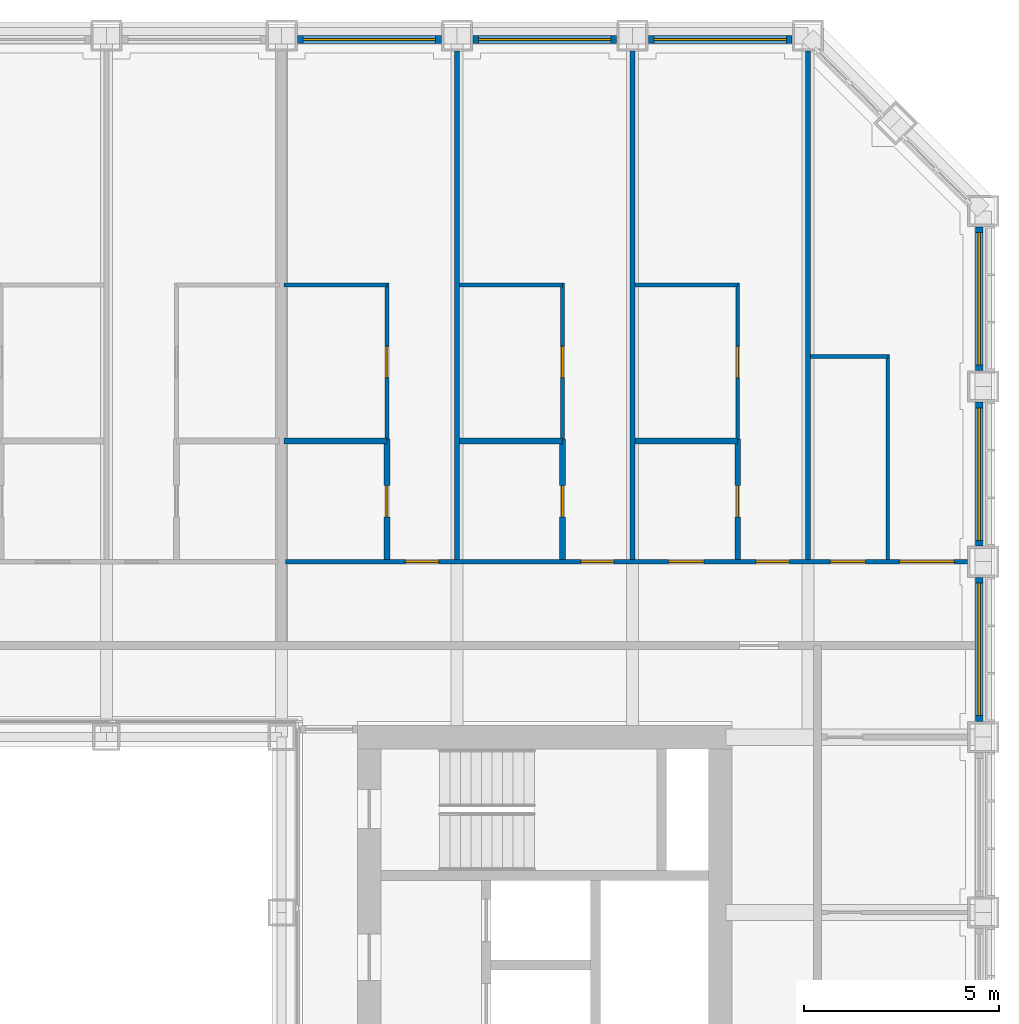
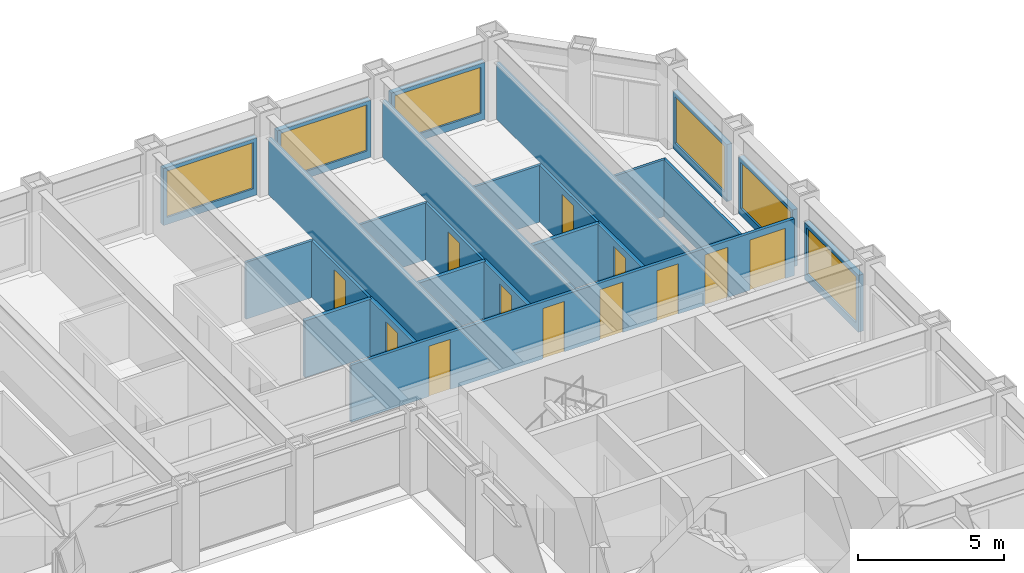
# One storey, part 15 of 21: 24 walls, 12 doors, 6 windows, 18 openings.
"""IFC4 building model written with IfcOpenShell, lengths in metres."""

from ifc_helpers import new_model, si_unit, direction, frame, frame_2d, origin, place, context, subcontext, project, spatial, rectangle, extrude, material, layer, layer_set, type_object, element, fill, save


model = new_model("IFC4")

# Units and contexts
model_context = context("Model", 3, precision=1e-05, world=origin(), true_north=direction((0.0, 1.0)))
body_context = subcontext(model_context, "Body", "Model", "MODEL_VIEW")
ifc_project = project(units=[si_unit("LENGTHUNIT", "METRE"), si_unit("AREAUNIT", "SQUARE_METRE"), si_unit("VOLUMEUNIT", "CUBIC_METRE"), si_unit("PLANEANGLEUNIT", "RADIAN"), si_unit("MASSUNIT", "GRAM", prefix="KILO")], contexts=[model_context])

# Site, building, storey
site_placement = place(None, origin())
site = spatial("IfcSite", under=ifc_project, at=site_placement, CompositionType="ELEMENT")
building_placement = place(site_placement, origin())
building = spatial("IfcBuilding", under=site, at=building_placement, Name="Msasa Ring Tower", CompositionType="ELEMENT")
storey_placement = place(building_placement, frame((0.0, 0.0, 68.5)))
storey = spatial("IfcBuildingStorey", under=building, at=storey_placement, Name="L17", CompositionType="ELEMENT", Elevation=68.5)

# Wall, opening, window
ifc_material_1 = material(Name="Terracotta rainscreen on blockwork", Category="masonry")
ifc_layer_1 = layer(ifc_material_1, 0.199951171875)
ifc_layer_set_1 = layer_set([ifc_layer_1], Name="FW1 TERRACOTTA-LINED INFILL BAY WALL 200")
wall_type_1 = type_object("IfcWallType", Name="FW1 TERRACOTTA-LINED INFILL BAY WALL 200", PredefinedType="SOLIDWALL", material=ifc_layer_set_1)
wall_1_placement = place(storey_placement, frame((24.64990234375, 7.155029296875, 0.0), z_axis=(0.0, 0.0, 1.0), x_axis=(0.0, 1.0, 0.0)))
wall_1 = element("IfcWall", 1, at=wall_1_placement, inside=storey, type_object=wall_type_1, Name="Infill bay wall E L17 17", PredefinedType="SOLIDWALL", context=body_context, shape_type="SweptSolid", body=[
    extrude(rectangle(XDim=3.68994140625, YDim=0.199951171875, at=frame_2d((1.844970703125, 0.0))), origin(), (0.0, 0.0, 1.0), 2.37890625),
])
opening_1_placement = place(wall_1_placement, frame((0.14501953125, 0.0, 0.300048828125)))
opening_1 = element("IfcOpeningElement", 2, at=opening_1_placement, cuts=wall_1, Name="Opening WN1", PredefinedType="OPENING", context=body_context, shape_type="SweptSolid", body=[
    extrude(rectangle(XDim=3.39990234375, YDim=1.928955078125, at=frame_2d((1.699951171875, 0.96435546875))), frame((0.0, 0.10986328125, 0.0), z_axis=(0.0, -1.0, 0.0), x_axis=(1.0, 0.0, 0.0)), (0.0, 0.0, 1.0), 0.219970703125),
])
ifc_material_2 = material(Name="Aluminium frame with clear glass", Category="aluminium")
window_type = type_object("IfcWindowType", Name="WN1 RESIDENCE WINDOW 3400x1929", PartitioningType="SINGLE_PANEL", PredefinedType="WINDOW", material=ifc_material_2)
window_1_placement = place(opening_1_placement, origin())
window_1 = element("IfcWindow", 3, at=window_1_placement, inside=storey, type_object=window_type, Name="Window E L17 17", OverallHeight=1.928955078125, OverallWidth=3.39990234375, PartitioningType="SINGLE_PANEL", PredefinedType="WINDOW", context=body_context, shape_type="SweptSolid", body=[
    extrude(rectangle(XDim=3.39990234375, YDim=1.928955078125, at=frame_2d((1.699951171875, 0.96435546875))), frame((0.0, 0.030029296875, 0.0), z_axis=(0.0, -1.0, 0.0), x_axis=(1.0, 0.0, 0.0)), (0.0, 0.0, 1.0), 0.06005859375),
])
fill(opening_1, window_1)

wall_2_placement = place(storey_placement, frame((24.64990234375, 11.655029296875, 0.0), z_axis=(0.0, 0.0, 1.0), x_axis=(0.0, 1.0, 0.0)))
wall_2 = element("IfcWall", 4, at=wall_2_placement, inside=storey, type_object=wall_type_1, Name="Infill bay wall E L17 18", PredefinedType="SOLIDWALL", context=body_context, shape_type="SweptSolid", body=[
    extrude(rectangle(XDim=3.68994140625, YDim=0.199951171875, at=frame_2d((1.844970703125, 0.0))), origin(), (0.0, 0.0, 1.0), 2.37890625),
])
opening_2_placement = place(wall_2_placement, frame((0.14501953125, 0.0, 0.300048828125)))
opening_2 = element("IfcOpeningElement", 5, at=opening_2_placement, cuts=wall_2, Name="Opening WN1", PredefinedType="OPENING", context=body_context, shape_type="SweptSolid", body=[
    extrude(rectangle(XDim=3.39990234375, YDim=1.928955078125, at=frame_2d((1.699951171875, 0.96435546875))), frame((0.0, 0.10986328125, 0.0), z_axis=(0.0, -1.0, 0.0), x_axis=(1.0, 0.0, 0.0)), (0.0, 0.0, 1.0), 0.219970703125),
])
window_2_placement = place(opening_2_placement, origin())
window_2 = element("IfcWindow", 6, at=window_2_placement, inside=storey, type_object=window_type, Name="Window E L17 18", OverallHeight=1.928955078125, OverallWidth=3.39990234375, PartitioningType="SINGLE_PANEL", PredefinedType="WINDOW", context=body_context, shape_type="SweptSolid", body=[
    extrude(rectangle(XDim=3.39990234375, YDim=1.928955078125, at=frame_2d((1.699951171875, 0.96435546875))), frame((0.0, 0.030029296875, 0.0), z_axis=(0.0, -1.0, 0.0), x_axis=(1.0, 0.0, 0.0)), (0.0, 0.0, 1.0), 0.06005859375),
])
fill(opening_2, window_2)

wall_3_placement = place(storey_placement, frame((24.64990234375, 16.155029296875, 0.0), z_axis=(0.0, 0.0, 1.0), x_axis=(0.0, 1.0, 0.0)))
wall_3 = element("IfcWall", 7, at=wall_3_placement, inside=storey, type_object=wall_type_1, Name="Infill bay wall E L17 19", PredefinedType="SOLIDWALL", context=body_context, shape_type="SweptSolid", body=[
    extrude(rectangle(XDim=3.68994140625, YDim=0.199951171875, at=frame_2d((1.844970703125, 0.0))), origin(), (0.0, 0.0, 1.0), 2.37890625),
])
opening_3_placement = place(wall_3_placement, frame((0.14501953125, 0.0, 0.300048828125)))
opening_3 = element("IfcOpeningElement", 8, at=opening_3_placement, cuts=wall_3, Name="Opening WN1", PredefinedType="OPENING", context=body_context, shape_type="SweptSolid", body=[
    extrude(rectangle(XDim=3.39990234375, YDim=1.928955078125, at=frame_2d((1.699951171875, 0.96435546875))), frame((0.0, 0.10986328125, 0.0), z_axis=(0.0, -1.0, 0.0), x_axis=(1.0, 0.0, 0.0)), (0.0, 0.0, 1.0), 0.219970703125),
])
window_3_placement = place(opening_3_placement, origin())
window_3 = element("IfcWindow", 9, at=window_3_placement, inside=storey, type_object=window_type, Name="Window E L17 19", OverallHeight=1.928955078125, OverallWidth=3.39990234375, PartitioningType="SINGLE_PANEL", PredefinedType="WINDOW", context=body_context, shape_type="SweptSolid", body=[
    extrude(rectangle(XDim=3.39990234375, YDim=1.928955078125, at=frame_2d((1.699951171875, 0.96435546875))), frame((0.0, 0.030029296875, 0.0), z_axis=(0.0, -1.0, 0.0), x_axis=(1.0, 0.0, 0.0)), (0.0, 0.0, 1.0), 0.06005859375),
])
fill(opening_3, window_3)

wall_4_placement = place(storey_placement, frame((7.155029296875, 24.64990234375, 0.0), z_axis=(0.0, 0.0, 1.0), x_axis=(1.0, 0.0, 0.0)))
wall_4 = element("IfcWall", 10, at=wall_4_placement, inside=storey, type_object=wall_type_1, Name="Infill bay wall N L17 28", PredefinedType="SOLIDWALL", context=body_context, shape_type="SweptSolid", body=[
    extrude(rectangle(XDim=3.68994140625, YDim=0.199951171875, at=frame_2d((1.844970703125, 0.0))), origin(), (0.0, 0.0, 1.0), 2.37890625),
])
opening_4_placement = place(wall_4_placement, frame((0.14501953125, 0.0, 0.300048828125)))
opening_4 = element("IfcOpeningElement", 11, at=opening_4_placement, cuts=wall_4, Name="Opening WN1", PredefinedType="OPENING", context=body_context, shape_type="SweptSolid", body=[
    extrude(rectangle(XDim=3.39990234375, YDim=1.928955078125, at=frame_2d((1.699951171875, 0.96435546875))), frame((0.0, 0.10986328125, 0.0), z_axis=(0.0, -1.0, 0.0), x_axis=(1.0, 0.0, 0.0)), (0.0, 0.0, 1.0), 0.219970703125),
])
window_4_placement = place(opening_4_placement, origin())
window_4 = element("IfcWindow", 12, at=window_4_placement, inside=storey, type_object=window_type, Name="Window N L17 28", OverallHeight=1.928955078125, OverallWidth=3.39990234375, PartitioningType="SINGLE_PANEL", PredefinedType="WINDOW", context=body_context, shape_type="SweptSolid", body=[
    extrude(rectangle(XDim=3.39990234375, YDim=1.928955078125, at=frame_2d((1.699951171875, 0.96435546875))), frame((0.0, 0.030029296875, 0.0), z_axis=(0.0, -1.0, 0.0), x_axis=(1.0, 0.0, 0.0)), (0.0, 0.0, 1.0), 0.06005859375),
])
fill(opening_4, window_4)

wall_5_placement = place(storey_placement, frame((11.655029296875, 24.64990234375, 0.0), z_axis=(0.0, 0.0, 1.0), x_axis=(1.0, 0.0, 0.0)))
wall_5 = element("IfcWall", 13, at=wall_5_placement, inside=storey, type_object=wall_type_1, Name="Infill bay wall N L17 29", PredefinedType="SOLIDWALL", context=body_context, shape_type="SweptSolid", body=[
    extrude(rectangle(XDim=3.68994140625, YDim=0.199951171875, at=frame_2d((1.844970703125, 0.0))), origin(), (0.0, 0.0, 1.0), 2.37890625),
])
opening_5_placement = place(wall_5_placement, frame((0.14501953125, 0.0, 0.300048828125)))
opening_5 = element("IfcOpeningElement", 14, at=opening_5_placement, cuts=wall_5, Name="Opening WN1", PredefinedType="OPENING", context=body_context, shape_type="SweptSolid", body=[
    extrude(rectangle(XDim=3.39990234375, YDim=1.928955078125, at=frame_2d((1.699951171875, 0.96435546875))), frame((0.0, 0.10986328125, 0.0), z_axis=(0.0, -1.0, 0.0), x_axis=(1.0, 0.0, 0.0)), (0.0, 0.0, 1.0), 0.219970703125),
])
window_5_placement = place(opening_5_placement, origin())
window_5 = element("IfcWindow", 15, at=window_5_placement, inside=storey, type_object=window_type, Name="Window N L17 29", OverallHeight=1.928955078125, OverallWidth=3.39990234375, PartitioningType="SINGLE_PANEL", PredefinedType="WINDOW", context=body_context, shape_type="SweptSolid", body=[
    extrude(rectangle(XDim=3.39990234375, YDim=1.928955078125, at=frame_2d((1.699951171875, 0.96435546875))), frame((0.0, 0.030029296875, 0.0), z_axis=(0.0, -1.0, 0.0), x_axis=(1.0, 0.0, 0.0)), (0.0, 0.0, 1.0), 0.06005859375),
])
fill(opening_5, window_5)

wall_6_placement = place(storey_placement, frame((16.155029296875, 24.64990234375, 0.0), z_axis=(0.0, 0.0, 1.0), x_axis=(1.0, 0.0, 0.0)))
wall_6 = element("IfcWall", 16, at=wall_6_placement, inside=storey, type_object=wall_type_1, Name="Infill bay wall N L17 30", PredefinedType="SOLIDWALL", context=body_context, shape_type="SweptSolid", body=[
    extrude(rectangle(XDim=3.68994140625, YDim=0.199951171875, at=frame_2d((1.844970703125, 0.0))), origin(), (0.0, 0.0, 1.0), 2.37890625),
])
opening_6_placement = place(wall_6_placement, frame((0.14501953125, 0.0, 0.300048828125)))
opening_6 = element("IfcOpeningElement", 17, at=opening_6_placement, cuts=wall_6, Name="Opening WN1", PredefinedType="OPENING", context=body_context, shape_type="SweptSolid", body=[
    extrude(rectangle(XDim=3.39990234375, YDim=1.928955078125, at=frame_2d((1.699951171875, 0.96435546875))), frame((0.0, 0.10986328125, 0.0), z_axis=(0.0, -1.0, 0.0), x_axis=(1.0, 0.0, 0.0)), (0.0, 0.0, 1.0), 0.219970703125),
])
window_6_placement = place(opening_6_placement, origin())
window_6 = element("IfcWindow", 18, at=window_6_placement, inside=storey, type_object=window_type, Name="Window N L17 30", OverallHeight=1.928955078125, OverallWidth=3.39990234375, PartitioningType="SINGLE_PANEL", PredefinedType="WINDOW", context=body_context, shape_type="SweptSolid", body=[
    extrude(rectangle(XDim=3.39990234375, YDim=1.928955078125, at=frame_2d((1.699951171875, 0.96435546875))), frame((0.0, 0.030029296875, 0.0), z_axis=(0.0, -1.0, 0.0), x_axis=(1.0, 0.0, 0.0)), (0.0, 0.0, 1.0), 0.06005859375),
])
fill(opening_6, window_6)

# Walls
ifc_material_3 = material(Name="Gypsum board on steel studs", Category="steel")
ifc_layer_2 = layer(ifc_material_3, 0.10009765625)
ifc_layer_set_2 = layer_set([ifc_layer_2], Name="PT2 STUD PARTITION 100")
wall_type_2 = type_object("IfcWallType", Name="PT2 STUD PARTITION 100", PredefinedType="PARTITIONING", material=ifc_layer_set_2)
wall_7_placement = place(storey_placement, frame((22.300048828125, 11.3125, 0.0), z_axis=(0.0, 0.0, 1.0), x_axis=(0.0, 1.0, 0.0)))
element("IfcWall", 19, at=wall_7_placement, inside=storey, type_object=wall_type_2, Name="Partition L17-UN02KX", PredefinedType="PARTITIONING", context=body_context, shape_type="SweptSolid", body=[
    extrude(rectangle(XDim=5.25, YDim=0.10009765625, at=frame_2d((2.625, 0.0))), origin(), (0.0, 0.0, 1.0), 2.373291015625),
])
wall_8_placement = place(storey_placement, frame((20.3125, 16.512451171875, 0.0), z_axis=(0.0, 0.0, 1.0), x_axis=(1.0, 0.0, 0.0)))
element("IfcWall", 20, at=wall_8_placement, inside=storey, type_object=wall_type_2, Name="Partition L17-UN02KY", PredefinedType="PARTITIONING", context=body_context, shape_type="SweptSolid", body=[
    extrude(rectangle(XDim=1.987548828125, YDim=0.10009765625, at=frame_2d((0.99365234375, 0.0))), origin(), (0.0, 0.0, 1.0), 2.373291015625),
])

# Wall, opening, door
wall_9_placement = place(storey_placement, frame((18.449951171875, 14.39990234375, 0.0), z_axis=(0.0, 0.0, 1.0), x_axis=(0.0, 1.0, 0.0)))
wall_9 = element("IfcWall", 21, at=wall_9_placement, inside=storey, type_object=wall_type_2, Name="Partition L17-UN02WX1", PredefinedType="PARTITIONING", context=body_context, shape_type="SweptSolid", body=[
    extrude(rectangle(XDim=4.00048828125, YDim=0.10009765625, at=frame_2d((2.000244140625, 0.0))), origin(), (0.0, 0.0, 1.0), 2.373291015625),
])
opening_7_placement = place(wall_9_placement, frame((1.5751953125, 0.0, 0.0)))
opening_7 = element("IfcOpeningElement", 22, at=opening_7_placement, cuts=wall_9, Name="Opening RE-008", PredefinedType="OPENING", context=body_context, shape_type="SweptSolid", body=[
    extrude(rectangle(XDim=0.800048828125, YDim=2.10009765625, at=frame_2d((0.39990234375, 1.050048828125))), frame((0.0, 0.06005859375, 0.0), z_axis=(0.0, -1.0, 0.0), x_axis=(1.0, 0.0, 0.0)), (0.0, 0.0, 1.0), 0.1201171875),
])
ifc_material_4 = material(Name="Timber door leaf in a steel frame", Category="steel")
door_type_1 = type_object("IfcDoorType", Name="D60 DRESSING ROOM DOOR 800x2100", OperationType="SINGLE_SWING_LEFT", PredefinedType="DOOR", material=ifc_material_4)
door_1_placement = place(opening_7_placement, origin())
door_1 = element("IfcDoor", 23, at=door_1_placement, inside=storey, type_object=door_type_1, Name="Door L17-UN02W1", OperationType="SINGLE_SWING_LEFT", OverallHeight=2.10009765625, OverallWidth=0.800048828125, PredefinedType="DOOR", context=body_context, shape_type="SweptSolid", body=[
    extrude(rectangle(XDim=0.800048828125, YDim=2.10009765625, at=frame_2d((0.39990234375, 1.050048828125))), frame((0.0, 0.02490234375, 0.0), z_axis=(0.0, -1.0, 0.0), x_axis=(1.0, 0.0, 0.0)), (0.0, 0.0, 1.0), 0.050048828125),
])
fill(opening_7, door_1)

# Wall
wall_10_placement = place(storey_placement, frame((15.81005859375, 18.350341796875, 0.0), z_axis=(0.0, 0.0, 1.0), x_axis=(1.0, 0.0, 0.0)))
element("IfcWall", 24, at=wall_10_placement, inside=storey, type_object=wall_type_2, Name="Partition L17-UN02WY1", PredefinedType="PARTITIONING", context=body_context, shape_type="SweptSolid", body=[
    extrude(rectangle(XDim=2.639892578125, YDim=0.10009765625, at=frame_2d((1.31982421875, 0.0))), origin(), (0.0, 0.0, 1.0), 2.373291015625),
])

# Wall, opening, door
wall_11_placement = place(storey_placement, frame((13.949951171875, 14.39990234375, 0.0), z_axis=(0.0, 0.0, 1.0), x_axis=(0.0, 1.0, 0.0)))
wall_11 = element("IfcWall", 25, at=wall_11_placement, inside=storey, type_object=wall_type_2, Name="Partition L17-UN02WX2", PredefinedType="PARTITIONING", context=body_context, shape_type="SweptSolid", body=[
    extrude(rectangle(XDim=4.003173828125, YDim=0.10009765625, at=frame_2d((2.00146484375, 0.0))), origin(), (0.0, 0.0, 1.0), 2.373291015625),
])
opening_8_placement = place(wall_11_placement, frame((1.576416015625, 0.0, 0.0)))
opening_8 = element("IfcOpeningElement", 26, at=opening_8_placement, cuts=wall_11, Name="Opening RE-007", PredefinedType="OPENING", context=body_context, shape_type="SweptSolid", body=[
    extrude(rectangle(XDim=0.800048828125, YDim=2.10009765625, at=frame_2d((0.39990234375, 1.050048828125))), frame((0.0, 0.06005859375, 0.0), z_axis=(0.0, -1.0, 0.0), x_axis=(1.0, 0.0, 0.0)), (0.0, 0.0, 1.0), 0.1201171875),
])
door_2_placement = place(opening_8_placement, origin())
door_2 = element("IfcDoor", 27, at=door_2_placement, inside=storey, type_object=door_type_1, Name="Door L17-UN02W2", OperationType="SINGLE_SWING_LEFT", OverallHeight=2.10009765625, OverallWidth=0.800048828125, PredefinedType="DOOR", context=body_context, shape_type="SweptSolid", body=[
    extrude(rectangle(XDim=0.800048828125, YDim=2.10009765625, at=frame_2d((0.39990234375, 1.050048828125))), frame((0.0, 0.02490234375, 0.0), z_axis=(0.0, -1.0, 0.0), x_axis=(1.0, 0.0, 0.0)), (0.0, 0.0, 1.0), 0.050048828125),
])
fill(opening_8, door_2)

# Wall
wall_12_placement = place(storey_placement, frame((11.31005859375, 18.35302734375, 0.0), z_axis=(0.0, 0.0, 1.0), x_axis=(1.0, 0.0, 0.0)))
element("IfcWall", 28, at=wall_12_placement, inside=storey, type_object=wall_type_2, Name="Partition L17-UN02WY2", PredefinedType="PARTITIONING", context=body_context, shape_type="SweptSolid", body=[
    extrude(rectangle(XDim=2.639892578125, YDim=0.10009765625, at=frame_2d((1.31982421875, 0.0))), origin(), (0.0, 0.0, 1.0), 2.373291015625),
])

# Wall, opening, door
wall_13_placement = place(storey_placement, frame((9.449951171875, 14.39990234375, 0.0), z_axis=(0.0, 0.0, 1.0), x_axis=(0.0, 1.0, 0.0)))
wall_13 = element("IfcWall", 29, at=wall_13_placement, inside=storey, type_object=wall_type_2, Name="Partition L17-UN02WX3", PredefinedType="PARTITIONING", context=body_context, shape_type="SweptSolid", body=[
    extrude(rectangle(XDim=4.003173828125, YDim=0.10009765625, at=frame_2d((2.00146484375, 0.0))), origin(), (0.0, 0.0, 1.0), 2.373291015625),
])
opening_9_placement = place(wall_13_placement, frame((1.576416015625, 0.0, 0.0)))
opening_9 = element("IfcOpeningElement", 30, at=opening_9_placement, cuts=wall_13, Name="Opening RE-006", PredefinedType="OPENING", context=body_context, shape_type="SweptSolid", body=[
    extrude(rectangle(XDim=0.800048828125, YDim=2.10009765625, at=frame_2d((0.39990234375, 1.050048828125))), frame((0.0, 0.06005859375, 0.0), z_axis=(0.0, -1.0, 0.0), x_axis=(1.0, 0.0, 0.0)), (0.0, 0.0, 1.0), 0.1201171875),
])
door_3_placement = place(opening_9_placement, origin())
door_3 = element("IfcDoor", 31, at=door_3_placement, inside=storey, type_object=door_type_1, Name="Door L17-UN02W3", OperationType="SINGLE_SWING_LEFT", OverallHeight=2.10009765625, OverallWidth=0.800048828125, PredefinedType="DOOR", context=body_context, shape_type="SweptSolid", body=[
    extrude(rectangle(XDim=0.800048828125, YDim=2.10009765625, at=frame_2d((0.39990234375, 1.050048828125))), frame((0.0, 0.02490234375, 0.0), z_axis=(0.0, -1.0, 0.0), x_axis=(1.0, 0.0, 0.0)), (0.0, 0.0, 1.0), 0.050048828125),
])
fill(opening_9, door_3)

# Wall
wall_14_placement = place(storey_placement, frame((6.81005859375, 18.35302734375, 0.0), z_axis=(0.0, 0.0, 1.0), x_axis=(1.0, 0.0, 0.0)))
element("IfcWall", 32, at=wall_14_placement, inside=storey, type_object=wall_type_2, Name="Partition L17-UN02WY3", PredefinedType="PARTITIONING", context=body_context, shape_type="SweptSolid", body=[
    extrude(rectangle(XDim=2.639892578125, YDim=0.10009765625, at=frame_2d((1.31982421875, 0.0))), origin(), (0.0, 0.0, 1.0), 2.373291015625),
])

# Wall, opening, door
ifc_material_5 = material(Name="Moisture-resistant board on steel studs with a concealed cistern and pipe void, tiled", Category="steel")
ifc_layer_3 = layer(ifc_material_5, 0.14990234375)
ifc_layer_set_3 = layer_set([ifc_layer_3], Name="PT4 BATHROOM WET WALL 150")
wall_type_3 = type_object("IfcWallType", Name="PT4 BATHROOM WET WALL 150", PredefinedType="PARTITIONING", material=ifc_layer_set_3)
wall_15_placement = place(storey_placement, frame((18.449951171875, 11.3125, 0.0), z_axis=(0.0, 0.0, 1.0), x_axis=(0.0, 1.0, 0.0)))
wall_15 = element("IfcWall", 33, at=wall_15_placement, inside=storey, type_object=wall_type_3, Name="Partition L17-UN02BX1", PredefinedType="PARTITIONING", context=body_context, shape_type="SweptSolid", body=[
    extrude(rectangle(XDim=3.08740234375, YDim=0.14990234375, at=frame_2d((1.543701171875, 0.0))), origin(), (0.0, 0.0, 1.0), 2.373291015625),
])
opening_10_placement = place(wall_15_placement, frame((1.08740234375, 0.0, 0.0)))
opening_10 = element("IfcOpeningElement", 34, at=opening_10_placement, cuts=wall_15, Name="Opening RE-016", PredefinedType="OPENING", context=body_context, shape_type="SweptSolid", body=[
    extrude(rectangle(XDim=0.800048828125, YDim=2.10009765625, at=frame_2d((0.39990234375, 1.050048828125))), frame((0.0, 0.0849609375, 0.0), z_axis=(0.0, -1.0, 0.0), x_axis=(1.0, 0.0, 0.0)), (0.0, 0.0, 1.0), 0.169921875),
])
ifc_material_6 = material(Name="Timber door leaf in a steel frame", Category="steel")
door_type_2 = type_object("IfcDoorType", Name="D21 POCKET SLIDING BATHROOM DOOR 800x2100", OperationType="SINGLE_SWING_LEFT", PredefinedType="DOOR", material=ifc_material_6)
door_4_placement = place(opening_10_placement, origin())
door_4 = element("IfcDoor", 35, at=door_4_placement, inside=storey, type_object=door_type_2, Name="Door L17-UN02B1", OperationType="SINGLE_SWING_LEFT", OverallHeight=2.10009765625, OverallWidth=0.800048828125, PredefinedType="DOOR", context=body_context, shape_type="SweptSolid", body=[
    extrude(rectangle(XDim=0.800048828125, YDim=2.10009765625, at=frame_2d((0.39990234375, 1.050048828125))), frame((0.0, 0.02490234375, 0.0), z_axis=(0.0, -1.0, 0.0), x_axis=(1.0, 0.0, 0.0)), (0.0, 0.0, 1.0), 0.050048828125),
])
fill(opening_10, door_4)

# Wall
wall_16_placement = place(storey_placement, frame((15.81005859375, 14.35009765625, 0.0), z_axis=(0.0, 0.0, 1.0), x_axis=(1.0, 0.0, 0.0)))
element("IfcWall", 36, at=wall_16_placement, inside=storey, type_object=wall_type_3, Name="Partition L17-UN02BY1", PredefinedType="PARTITIONING", context=body_context, shape_type="SweptSolid", body=[
    extrude(rectangle(XDim=2.639892578125, YDim=0.14990234375, at=frame_2d((1.31982421875, 0.0))), origin(), (0.0, 0.0, 1.0), 2.373291015625),
])

# Wall, opening, door
wall_17_placement = place(storey_placement, frame((13.949951171875, 11.3125, 0.0), z_axis=(0.0, 0.0, 1.0), x_axis=(0.0, 1.0, 0.0)))
wall_17 = element("IfcWall", 37, at=wall_17_placement, inside=storey, type_object=wall_type_3, Name="Partition L17-UN02BX2", PredefinedType="PARTITIONING", context=body_context, shape_type="SweptSolid", body=[
    extrude(rectangle(XDim=3.08740234375, YDim=0.14990234375, at=frame_2d((1.543701171875, 0.0))), origin(), (0.0, 0.0, 1.0), 2.373291015625),
])
opening_11_placement = place(wall_17_placement, frame((1.08740234375, 0.0, 0.0)))
opening_11 = element("IfcOpeningElement", 38, at=opening_11_placement, cuts=wall_17, Name="Opening RE-015", PredefinedType="OPENING", context=body_context, shape_type="SweptSolid", body=[
    extrude(rectangle(XDim=0.800048828125, YDim=2.10009765625, at=frame_2d((0.39990234375, 1.050048828125))), frame((0.0, 0.0849609375, 0.0), z_axis=(0.0, -1.0, 0.0), x_axis=(1.0, 0.0, 0.0)), (0.0, 0.0, 1.0), 0.169921875),
])
door_5_placement = place(opening_11_placement, origin())
door_5 = element("IfcDoor", 39, at=door_5_placement, inside=storey, type_object=door_type_2, Name="Door L17-UN02B2", OperationType="SINGLE_SWING_LEFT", OverallHeight=2.10009765625, OverallWidth=0.800048828125, PredefinedType="DOOR", context=body_context, shape_type="SweptSolid", body=[
    extrude(rectangle(XDim=0.800048828125, YDim=2.10009765625, at=frame_2d((0.39990234375, 1.050048828125))), frame((0.0, 0.02490234375, 0.0), z_axis=(0.0, -1.0, 0.0), x_axis=(1.0, 0.0, 0.0)), (0.0, 0.0, 1.0), 0.050048828125),
])
fill(opening_11, door_5)

# Wall
wall_18_placement = place(storey_placement, frame((11.31005859375, 14.35009765625, 0.0), z_axis=(0.0, 0.0, 1.0), x_axis=(1.0, 0.0, 0.0)))
element("IfcWall", 40, at=wall_18_placement, inside=storey, type_object=wall_type_3, Name="Partition L17-UN02BY2", PredefinedType="PARTITIONING", context=body_context, shape_type="SweptSolid", body=[
    extrude(rectangle(XDim=2.639892578125, YDim=0.14990234375, at=frame_2d((1.31982421875, 0.0))), origin(), (0.0, 0.0, 1.0), 2.373291015625),
])

# Wall, opening, door
wall_19_placement = place(storey_placement, frame((9.449951171875, 11.3125, 0.0), z_axis=(0.0, 0.0, 1.0), x_axis=(0.0, 1.0, 0.0)))
wall_19 = element("IfcWall", 41, at=wall_19_placement, inside=storey, type_object=wall_type_3, Name="Partition L17-UN02BX3", PredefinedType="PARTITIONING", context=body_context, shape_type="SweptSolid", body=[
    extrude(rectangle(XDim=3.08740234375, YDim=0.14990234375, at=frame_2d((1.543701171875, 0.0))), origin(), (0.0, 0.0, 1.0), 2.373291015625),
])
opening_12_placement = place(wall_19_placement, frame((1.08740234375, 0.0, 0.0)))
opening_12 = element("IfcOpeningElement", 42, at=opening_12_placement, cuts=wall_19, Name="Opening RE-014", PredefinedType="OPENING", context=body_context, shape_type="SweptSolid", body=[
    extrude(rectangle(XDim=0.800048828125, YDim=2.10009765625, at=frame_2d((0.39990234375, 1.050048828125))), frame((0.0, 0.0849609375, 0.0), z_axis=(0.0, -1.0, 0.0), x_axis=(1.0, 0.0, 0.0)), (0.0, 0.0, 1.0), 0.169921875),
])
door_6_placement = place(opening_12_placement, origin())
door_6 = element("IfcDoor", 43, at=door_6_placement, inside=storey, type_object=door_type_2, Name="Door L17-UN02B3", OperationType="SINGLE_SWING_LEFT", OverallHeight=2.10009765625, OverallWidth=0.800048828125, PredefinedType="DOOR", context=body_context, shape_type="SweptSolid", body=[
    extrude(rectangle(XDim=0.800048828125, YDim=2.10009765625, at=frame_2d((0.39990234375, 1.050048828125))), frame((0.0, 0.02490234375, 0.0), z_axis=(0.0, -1.0, 0.0), x_axis=(1.0, 0.0, 0.0)), (0.0, 0.0, 1.0), 0.050048828125),
])
fill(opening_12, door_6)

# Wall
wall_20_placement = place(storey_placement, frame((6.81005859375, 14.35009765625, 0.0), z_axis=(0.0, 0.0, 1.0), x_axis=(1.0, 0.0, 0.0)))
element("IfcWall", 44, at=wall_20_placement, inside=storey, type_object=wall_type_3, Name="Partition L17-UN02BY3", PredefinedType="PARTITIONING", context=body_context, shape_type="SweptSolid", body=[
    extrude(rectangle(XDim=2.639892578125, YDim=0.14990234375, at=frame_2d((1.31982421875, 0.0))), origin(), (0.0, 0.0, 1.0), 2.373291015625),
])

# Wall, openings, doors
ifc_material_7 = material(Name="Two layers of acoustic board each face on steel studs, mineral wool", Category="steel")
ifc_layer_4 = layer(ifc_material_7, 0.125)
ifc_layer_set_4 = layer_set([ifc_layer_4], Name="PT6 ACOUSTIC DOUBLE-BOARD PARTITION 125")
wall_type_4 = type_object("IfcWallType", Name="PT6 ACOUSTIC DOUBLE-BOARD PARTITION 125", PredefinedType="PARTITIONING", material=ifc_layer_set_4)
wall_21_placement = place(storey_placement, frame((6.85009765625, 11.25, 0.0), z_axis=(0.0, 0.0, 1.0), x_axis=(1.0, 0.0, 0.0)))
wall_21 = element("IfcWall", 45, at=wall_21_placement, inside=storey, type_object=wall_type_4, Name="Partition L17-UN02HY", PredefinedType="PARTITIONING", context=body_context, shape_type="SweptSolid", body=[
    extrude(rectangle(XDim=17.5, YDim=0.125, at=frame_2d((8.75, 0.0))), origin(), (0.0, 0.0, 1.0), 2.373291015625),
])
opening_13_placement = place(wall_21_placement, frame((13.97509765625, 0.0, 0.0)))
opening_13 = element("IfcOpeningElement", 46, at=opening_13_placement, cuts=wall_21, Name="Opening RE-032", PredefinedType="OPENING", context=body_context, shape_type="SweptSolid", body=[
    extrude(rectangle(XDim=0.89990234375, YDim=2.10009765625, at=frame_2d((0.449951171875, 1.050048828125))), frame((0.0, 0.072509765625, 0.0), z_axis=(0.0, -1.0, 0.0), x_axis=(1.0, 0.0, 0.0)), (0.0, 0.0, 1.0), 0.14501953125),
])
opening_14_placement = place(wall_21_placement, frame((15.75, 0.0, 0.0)))
opening_14 = element("IfcOpeningElement", 47, at=opening_14_placement, cuts=wall_21, Name="Opening RE-033", PredefinedType="OPENING", context=body_context, shape_type="SweptSolid", body=[
    extrude(rectangle(XDim=1.39990234375, YDim=2.10009765625, at=frame_2d((0.699951171875, 1.050048828125))), frame((0.0, 0.072509765625, 0.0), z_axis=(0.0, -1.0, 0.0), x_axis=(1.0, 0.0, 0.0)), (0.0, 0.0, 1.0), 0.14501953125),
])
opening_15_placement = place(wall_21_placement, frame((12.074951171875, 0.0, 0.0)))
opening_15 = element("IfcOpeningElement", 48, at=opening_15_placement, cuts=wall_21, Name="Opening RE-031", PredefinedType="OPENING", context=body_context, shape_type="SweptSolid", body=[
    extrude(rectangle(XDim=0.85009765625, YDim=2.10009765625, at=frame_2d((0.425048828125, 1.050048828125))), frame((0.0, 0.072509765625, 0.0), z_axis=(0.0, -1.0, 0.0), x_axis=(1.0, 0.0, 0.0)), (0.0, 0.0, 1.0), 0.14501953125),
])
opening_16_placement = place(wall_21_placement, frame((9.830078125, 0.0, 0.0)))
opening_16 = element("IfcOpeningElement", 49, at=opening_16_placement, cuts=wall_21, Name="Opening RE-030", PredefinedType="OPENING", context=body_context, shape_type="SweptSolid", body=[
    extrude(rectangle(XDim=0.89990234375, YDim=2.10009765625, at=frame_2d((0.449951171875, 1.050048828125))), frame((0.0, 0.072509765625, 0.0), z_axis=(0.0, -1.0, 0.0), x_axis=(1.0, 0.0, 0.0)), (0.0, 0.0, 1.0), 0.14501953125),
])
opening_17_placement = place(wall_21_placement, frame((7.574951171875, 0.0, 0.0)))
opening_17 = element("IfcOpeningElement", 50, at=opening_17_placement, cuts=wall_21, Name="Opening RE-029", PredefinedType="OPENING", context=body_context, shape_type="SweptSolid", body=[
    extrude(rectangle(XDim=0.85009765625, YDim=2.10009765625, at=frame_2d((0.425048828125, 1.050048828125))), frame((0.0, 0.072509765625, 0.0), z_axis=(0.0, -1.0, 0.0), x_axis=(1.0, 0.0, 0.0)), (0.0, 0.0, 1.0), 0.14501953125),
])
opening_18_placement = place(wall_21_placement, frame((3.074951171875, 0.0, 0.0)))
opening_18 = element("IfcOpeningElement", 51, at=opening_18_placement, cuts=wall_21, Name="Opening RE-028", PredefinedType="OPENING", context=body_context, shape_type="SweptSolid", body=[
    extrude(rectangle(XDim=0.85009765625, YDim=2.10009765625, at=frame_2d((0.425048828125, 1.050048828125))), frame((0.0, 0.072509765625, 0.0), z_axis=(0.0, -1.0, 0.0), x_axis=(1.0, 0.0, 0.0)), (0.0, 0.0, 1.0), 0.14501953125),
])
ifc_material_8 = material(Name="Timber door leaf in a steel frame", Category="steel")
door_type_3 = type_object("IfcDoorType", Name="D14 BEDROOM DOOR 850x2100", OperationType="SINGLE_SWING_LEFT", PredefinedType="DOOR", material=ifc_material_8)
door_7_placement = place(opening_15_placement, origin())
door_7 = element("IfcDoor", 52, at=door_7_placement, inside=storey, type_object=door_type_3, Name="Door L17-UN02R1", OperationType="SINGLE_SWING_RIGHT", OverallHeight=2.10009765625, OverallWidth=0.85009765625, PredefinedType="DOOR", context=body_context, shape_type="SweptSolid", body=[
    extrude(rectangle(XDim=0.85009765625, YDim=2.10009765625, at=frame_2d((0.425048828125, 1.050048828125))), frame((0.0, 0.02490234375, 0.0), z_axis=(0.0, -1.0, 0.0), x_axis=(1.0, 0.0, 0.0)), (0.0, 0.0, 1.0), 0.050048828125),
])
fill(opening_15, door_7)
door_8_placement = place(opening_17_placement, origin())
door_8 = element("IfcDoor", 53, at=door_8_placement, inside=storey, type_object=door_type_3, Name="Door L17-UN02R2", OperationType="SINGLE_SWING_LEFT", OverallHeight=2.10009765625, OverallWidth=0.85009765625, PredefinedType="DOOR", context=body_context, shape_type="SweptSolid", body=[
    extrude(rectangle(XDim=0.85009765625, YDim=2.10009765625, at=frame_2d((0.425048828125, 1.050048828125))), frame((0.0, 0.02490234375, 0.0), z_axis=(0.0, -1.0, 0.0), x_axis=(1.0, 0.0, 0.0)), (0.0, 0.0, 1.0), 0.050048828125),
])
fill(opening_17, door_8)
door_9_placement = place(opening_18_placement, origin())
door_9 = element("IfcDoor", 54, at=door_9_placement, inside=storey, type_object=door_type_3, Name="Door L17-UN02R3", OperationType="SINGLE_SWING_LEFT", OverallHeight=2.10009765625, OverallWidth=0.85009765625, PredefinedType="DOOR", context=body_context, shape_type="SweptSolid", body=[
    extrude(rectangle(XDim=0.85009765625, YDim=2.10009765625, at=frame_2d((0.425048828125, 1.050048828125))), frame((0.0, 0.02490234375, 0.0), z_axis=(0.0, -1.0, 0.0), x_axis=(1.0, 0.0, 0.0)), (0.0, 0.0, 1.0), 0.050048828125),
])
fill(opening_18, door_9)
ifc_material_9 = material(Name="Timber door leaf in a steel frame", Category="steel")
door_type_4 = type_object("IfcDoorType", Name="D15 LIVING ROOM PAIR OF GLAZED DOORS 1400x2100", OperationType="SINGLE_SWING_LEFT", PredefinedType="DOOR", material=ifc_material_9)
door_10_placement = place(opening_14_placement, origin())
door_10 = element("IfcDoor", 55, at=door_10_placement, inside=storey, type_object=door_type_4, Name="Door L17-UN02L", OperationType="SINGLE_SWING_RIGHT", OverallHeight=2.10009765625, OverallWidth=1.39990234375, PredefinedType="DOOR", context=body_context, shape_type="SweptSolid", body=[
    extrude(rectangle(XDim=1.39990234375, YDim=2.10009765625, at=frame_2d((0.699951171875, 1.050048828125))), frame((0.0, 0.02490234375, 0.0), z_axis=(0.0, -1.0, 0.0), x_axis=(1.0, 0.0, 0.0)), (0.0, 0.0, 1.0), 0.050048828125),
])
fill(opening_14, door_10)
ifc_material_10 = material(Name="Timber door leaf in a steel frame", Category="steel")
door_type_5 = type_object("IfcDoorType", Name="D22 INTERNAL HALL DOOR 900x2100", OperationType="SINGLE_SWING_LEFT", PredefinedType="DOOR", material=ifc_material_10)
door_11_placement = place(opening_13_placement, origin())
door_11 = element("IfcDoor", 56, at=door_11_placement, inside=storey, type_object=door_type_5, Name="Door L17-UN02K", OperationType="SINGLE_SWING_RIGHT", OverallHeight=2.10009765625, OverallWidth=0.89990234375, PredefinedType="DOOR", context=body_context, shape_type="SweptSolid", body=[
    extrude(rectangle(XDim=0.89990234375, YDim=2.10009765625, at=frame_2d((0.449951171875, 1.050048828125))), frame((0.0, 0.02490234375, 0.0), z_axis=(0.0, -1.0, 0.0), x_axis=(1.0, 0.0, 0.0)), (0.0, 0.0, 1.0), 0.050048828125),
])
fill(opening_13, door_11)
ifc_material_11 = material(Name="Timber door leaf in a steel frame", Category="steel")
door_type_6 = type_object("IfcDoorType", Name="D3 BATHROOM DOOR 900x2100", OperationType="SINGLE_SWING_LEFT", PredefinedType="DOOR", material=ifc_material_11)
door_12_placement = place(opening_16_placement, origin())
door_12 = element("IfcDoor", 57, at=door_12_placement, inside=storey, type_object=door_type_6, Name="Door L17-UN02BH1", OperationType="SINGLE_SWING_RIGHT", OverallHeight=2.10009765625, OverallWidth=0.89990234375, PredefinedType="DOOR", context=body_context, shape_type="SweptSolid", body=[
    extrude(rectangle(XDim=0.89990234375, YDim=2.10009765625, at=frame_2d((0.449951171875, 1.050048828125))), frame((0.0, 0.02490234375, 0.0), z_axis=(0.0, -1.0, 0.0), x_axis=(1.0, 0.0, 0.0)), (0.0, 0.0, 1.0), 0.050048828125),
])
fill(opening_16, door_12)

# Walls
for number, where, z_axis, x_axis, name in (
    (58, (20.25, 11.3125, 0.0), (0.0, 0.0, 1.0), (0.0, 1.0, 0.0), "Partition L17-UN02P1"),
    (59, (15.75, 11.3125, 0.0), (0.0, 0.0, 1.0), (0.0, 1.0, 0.0), "Partition L17-UN02P2"),
    (60, (11.25, 11.3125, 0.0), (0.0, 0.0, 1.0), (0.0, 1.0, 0.0), "Partition L17-UN02P3"),
):
    element("IfcWall", number, at=place(storey_placement, frame(where, z_axis=z_axis, x_axis=x_axis)), inside=storey, type_object=wall_type_4, Name=name, PredefinedType="PARTITIONING", context=body_context, shape_type="SweptSolid", body=[
        extrude(rectangle(XDim=13.03759765625, YDim=0.125, at=frame_2d((6.518798828125, 0.0))), origin(), (0.0, 0.0, 1.0), 2.373291015625),
    ])

save(model, "model.ifc")
